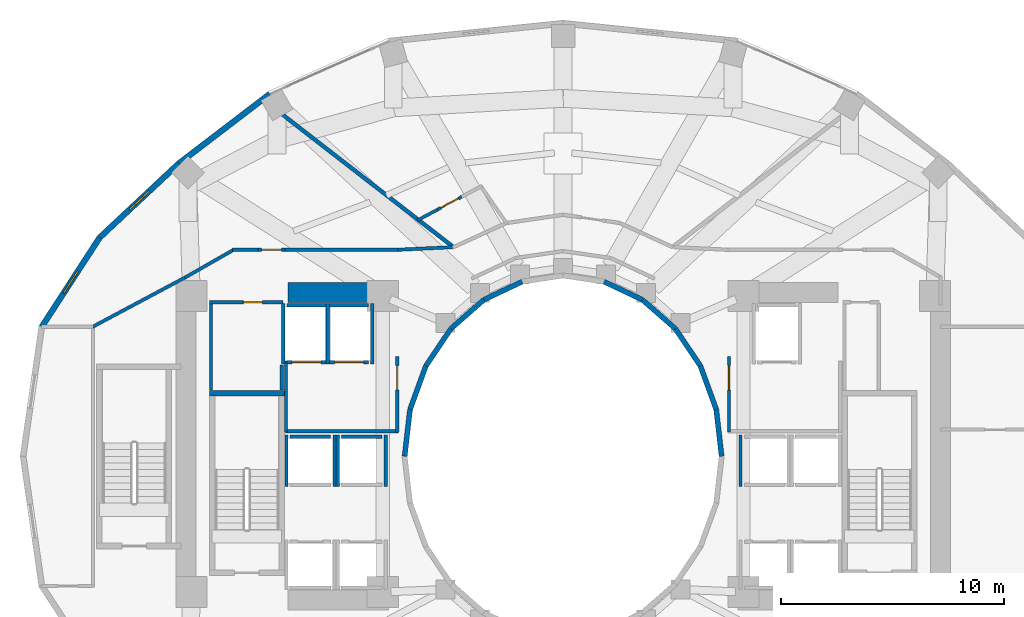
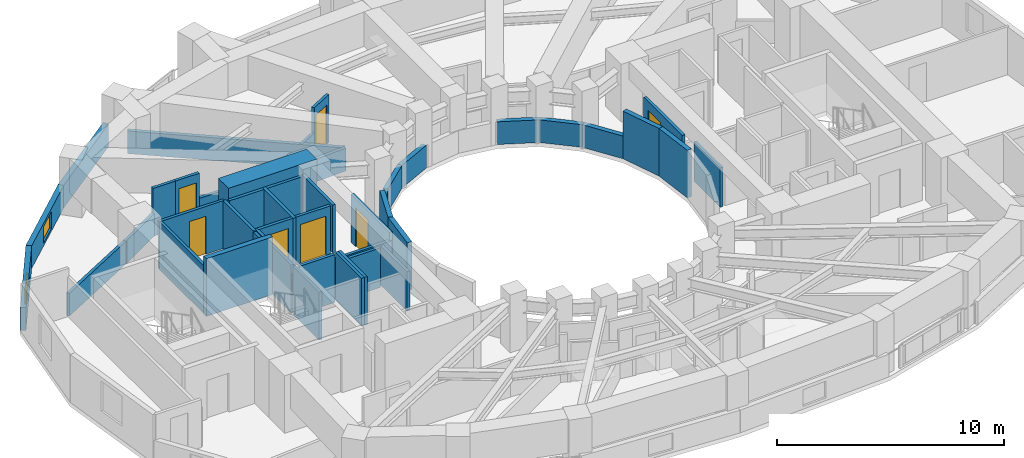
# One storey, part 10 of 16: 45 walls, 7 doors, 2 windows, 9 openings.
"""IFC4 building model written with IfcOpenShell, lengths in metres."""

from ifc_helpers import new_model, si_unit, direction, frame, frame_2d, origin, place, context, subcontext, project, spatial, rectangle, extrude, material, layer, layer_set, type_object, element, fill, save


model = new_model("IFC4")

# Units and contexts
model_context = context("Model", 3, precision=1e-05, world=origin(), true_north=direction((0.0, 1.0)))
body_context = subcontext(model_context, "Body", "Model", "MODEL_VIEW")
ifc_project = project(units=[si_unit("LENGTHUNIT", "METRE"), si_unit("AREAUNIT", "SQUARE_METRE"), si_unit("VOLUMEUNIT", "CUBIC_METRE"), si_unit("PLANEANGLEUNIT", "RADIAN"), si_unit("MASSUNIT", "GRAM", prefix="KILO")], contexts=[model_context])

# Site, building, storey
site_placement = place(None, origin())
site = spatial("IfcSite", under=ifc_project, at=site_placement, CompositionType="ELEMENT")
building_placement = place(site_placement, origin())
building = spatial("IfcBuilding", under=site, at=building_placement, Name="Solvane Sanctuary Tower", CompositionType="ELEMENT")
storey_placement = place(building_placement, frame((0.0, 0.0, 82.5)))
storey = spatial("IfcBuildingStorey", under=building, at=storey_placement, Name="L24", CompositionType="ELEMENT", Elevation=82.5)

# Walls
ifc_material_1 = material(Name="Concrete C70/85", Category="concrete")
ifc_layer_1 = layer(ifc_material_1, 0.89990234375, Name="Concrete C70/85")
ifc_layer_set_1 = layer_set([ifc_layer_1], Name="Concrete C70/85")
wall_type_1 = type_object("IfcWallType", Name="Wall W-CORE-900", PredefinedType="SHEAR", material=ifc_layer_set_1)
wall_1_placement = place(storey_placement, frame((19.64990234375, 30.35009765625, 0.0), z_axis=(0.0, 0.0, 1.0), x_axis=(1.0, 0.0, 0.0)))
element("IfcWall", 1, at=wall_1_placement, inside=storey, type_object=wall_type_1, Name="L24 Core Shear Wall WC-N", PredefinedType="SHEAR", context=body_context, shape_type="SweptSolid", body=[
    extrude(rectangle(XDim=4.5, YDim=0.89990234375, at=frame_2d((2.25, 0.0))), origin(), (0.0, 0.0, 1.0), 3.10009765625),
])
ifc_material_2 = material(Name="Acoustic Gypsum Partition Board")
ifc_layer_2 = layer(ifc_material_2, 0.14990234375, Name="Acoustic Gypsum Partition Board")
ifc_layer_set_2 = layer_set([ifc_layer_2], Name="Acoustic Gypsum Partition Board")
wall_type_2 = type_object("IfcWallType", Name="Wall W-CORR-150", PredefinedType="PARTITIONING", material=ifc_layer_set_2)
wall_2_placement = place(storey_placement, frame((19.52001953125, 24.1201171875, 0.0), z_axis=(0.0, 0.0, 1.0), x_axis=(1.0, 0.0, 0.0)))
element("IfcWall", 2, at=wall_2_placement, inside=storey, type_object=wall_type_2, Name="L24 West Firefighting Lobby South Wall", PredefinedType="PARTITIONING", context=body_context, shape_type="SweptSolid", body=[
    extrude(rectangle(XDim=5.080078125, YDim=0.14990234375, at=frame_2d((2.5400390625, 0.0))), origin(), (0.0, 0.0, 1.0), 2.1201171875),
])
wall_3_placement = place(storey_placement, frame((19.550048828125, 24.080078125, 0.0), z_axis=(0.0, 0.0, 1.0), x_axis=(0.0, 1.0, 0.0)))
element("IfcWall", 3, at=wall_3_placement, inside=storey, type_object=wall_type_2, Name="L24 West Firefighting Lobby West Wall", PredefinedType="PARTITIONING", context=body_context, shape_type="SweptSolid", body=[
    extrude(rectangle(XDim=3.199951171875, YDim=0.14990234375, at=frame_2d((1.60009765625, 0.0))), origin(), (0.0, 0.0, 1.0), 2.574951171875),
])

# Wall, opening, door
wall_4_placement = place(storey_placement, frame((24.550048828125, 24.080078125, 0.0), z_axis=(0.0, 0.0, 1.0), x_axis=(0.0, 1.0, 0.0)))
wall_4 = element("IfcWall", 4, at=wall_4_placement, inside=storey, type_object=wall_type_2, Name="L24 West Firefighting Lobby East Wall", PredefinedType="PARTITIONING", context=body_context, shape_type="SweptSolid", body=[
    extrude(rectangle(XDim=3.39990234375, YDim=0.14990234375, at=frame_2d((1.699951171875, 0.0))), origin(), (0.0, 0.0, 1.0), 2.574951171875),
])
opening_1_placement = place(wall_4_placement, frame((1.893798828125, 0.0, 0.0)))
opening_1 = element("IfcOpeningElement", 5, at=opening_1_placement, cuts=wall_4, Name="Opening D-L24-04", PredefinedType="OPENING", context=body_context, shape_type="SweptSolid", body=[
    extrude(rectangle(XDim=1.10009765625, YDim=2.10009765625, at=frame_2d((0.550048828125, 1.050048828125))), frame((0.0, 0.0849609375, 0.0), z_axis=(0.0, -1.0, 0.0), x_axis=(1.0, 0.0, 0.0)), (0.0, 0.0, 1.0), 0.169921875),
])
ifc_material_3 = material(Name="Architectural Stainless Steel 316", Category="steel")
door_type_1 = type_object("IfcDoorType", Name="Door D-FFL", OperationType="NOTDEFINED", PredefinedType="DOOR", material=ifc_material_3)
door_1_placement = place(opening_1_placement, origin())
door_1 = element("IfcDoor", 6, at=door_1_placement, inside=storey, type_object=door_type_1, Name="L24 West Firefighting Lobby Fire Door", OperationType="SINGLE_SWING_LEFT", OverallHeight=2.10009765625, OverallWidth=1.10009765625, PredefinedType="DOOR", context=body_context, shape_type="SweptSolid", body=[
    extrude(rectangle(XDim=1.10009765625, YDim=2.10009765625, at=frame_2d((0.550048828125, 1.050048828125))), frame((0.0, 0.02490234375, 0.0), z_axis=(0.0, -1.0, 0.0), x_axis=(1.0, 0.0, 0.0)), (0.0, 0.0, 1.0), 0.050048828125),
])
fill(opening_1, door_1)

wall_5_placement = place(storey_placement, frame((39.449951171875, 24.080078125, 0.0), z_axis=(0.0, 0.0, 1.0), x_axis=(0.0, 1.0, 0.0)))
wall_5 = element("IfcWall", 7, at=wall_5_placement, inside=storey, type_object=wall_type_2, Name="L24 East Firefighting Lobby West Wall", PredefinedType="PARTITIONING", context=body_context, shape_type="SweptSolid", body=[
    extrude(rectangle(XDim=3.39990234375, YDim=0.14990234375, at=frame_2d((1.699951171875, 0.0))), origin(), (0.0, 0.0, 1.0), 2.574951171875),
])
opening_2_placement = place(wall_5_placement, frame((1.893798828125, 0.0, 0.0)))
opening_2 = element("IfcOpeningElement", 8, at=opening_2_placement, cuts=wall_5, Name="Opening D-L24-05", PredefinedType="OPENING", context=body_context, shape_type="SweptSolid", body=[
    extrude(rectangle(XDim=1.10009765625, YDim=2.10009765625, at=frame_2d((0.550048828125, 1.050048828125))), frame((0.0, 0.0849609375, 0.0), z_axis=(0.0, -1.0, 0.0), x_axis=(1.0, 0.0, 0.0)), (0.0, 0.0, 1.0), 0.169921875),
])
door_2_placement = place(opening_2_placement, origin())
door_2 = element("IfcDoor", 9, at=door_2_placement, inside=storey, type_object=door_type_1, Name="L24 East Firefighting Lobby Fire Door", OperationType="SINGLE_SWING_RIGHT", OverallHeight=2.10009765625, OverallWidth=1.10009765625, PredefinedType="DOOR", context=body_context, shape_type="SweptSolid", body=[
    extrude(rectangle(XDim=1.10009765625, YDim=2.10009765625, at=frame_2d((0.550048828125, 1.050048828125))), frame((0.0, 0.02490234375, 0.0), z_axis=(0.0, -1.0, 0.0), x_axis=(1.0, 0.0, 0.0)), (0.0, 0.0, 1.0), 0.050048828125),
])
fill(opening_2, door_2)

# Walls
wall_6_placement = place(storey_placement, frame((10.8447265625, 28.806396484375, 0.0), z_axis=(0.0, 0.0, 1.0), x_axis=(0.88227840565, 0.470727962759, 0.0)))
element("IfcWall", 10, at=wall_6_placement, inside=storey, type_object=wall_type_2, Name="L24 NW Corner Closer 1", PredefinedType="PARTITIONING", context=body_context, shape_type="SweptSolid", body=[
    extrude(rectangle(XDim=4.806396484375, YDim=0.14990234375, at=frame_2d((2.4033203125, 0.0))), origin(), (0.0, 0.0, 1.0), 1.219970703125),
])
wall_7_placement = place(storey_placement, frame((27.02001953125, 32.393798828125, 0.0), z_axis=(0.0, 0.0, 1.0), x_axis=(-0.998877427952, -0.047369651964, 0.0)))
element("IfcWall", 11, at=wall_7_placement, inside=storey, type_object=wall_type_2, Name="L24 NW Corner Throat Wall", PredefinedType="PARTITIONING", context=body_context, shape_type="SweptSolid", body=[
    extrude(rectangle(XDim=2.4326171875, YDim=0.14990234375, at=frame_2d((1.21630859375, 0.0))), origin(), (0.0, 0.0, 1.0), 1.219970703125),
])
wall_8_placement = place(storey_placement, frame((17.14990234375, 32.280029296875, 0.0), z_axis=(0.0, 0.0, 1.0), x_axis=(1.0, 0.0, 0.0)))
element("IfcWall", 12, at=wall_8_placement, inside=storey, type_object=wall_type_2, Name="L24 NW Corner Corridor Wall", PredefinedType="PARTITIONING", context=body_context, shape_type="SweptSolid", body=[
    extrude(rectangle(XDim=1.14013671875, YDim=0.14990234375, at=frame_2d((0.570068359375, 0.0))), origin(), (0.0, 0.0, 1.0), 2.574951171875),
])

# Wall, opening, door
wall_9_placement = place(storey_placement, frame((18.2900390625, 32.280029296875, 0.0), z_axis=(0.0, 0.0, 1.0), x_axis=(1.0, 0.0, 0.0)))
wall_9 = element("IfcWall", 13, at=wall_9_placement, inside=storey, type_object=wall_type_2, Name="L24 NW Corner Corridor Wall", PredefinedType="PARTITIONING", context=body_context, shape_type="SweptSolid", body=[
    extrude(rectangle(XDim=1.219970703125, YDim=0.14990234375, at=frame_2d((0.60986328125, 0.0))), origin(), (0.0, 0.0, 1.0), 2.574951171875),
])
opening_3_placement = place(wall_9_placement, frame((0.159912109375, 0.0, 0.0)))
opening_3 = element("IfcOpeningElement", 14, at=opening_3_placement, cuts=wall_9, Name="Opening D-L24-12", PredefinedType="OPENING", context=body_context, shape_type="SweptSolid", body=[
    extrude(rectangle(XDim=0.89990234375, YDim=2.10009765625, at=frame_2d((0.449951171875, 1.050048828125))), frame((0.0, 0.0849609375, 0.0), z_axis=(0.0, -1.0, 0.0), x_axis=(1.0, 0.0, 0.0)), (0.0, 0.0, 1.0), 0.169921875),
])
ifc_material_4 = material(Name="Engineered Tropical Hardwood", Category="wood")
door_type_2 = type_object("IfcDoorType", Name="Door D-WET-900", OperationType="NOTDEFINED", PredefinedType="DOOR", material=ifc_material_4)
door_3_placement = place(opening_3_placement, origin())
door_3 = element("IfcDoor", 15, at=door_3_placement, inside=storey, type_object=door_type_2, Name="L24 NW Corner Salon Door", OperationType="SINGLE_SWING_LEFT", OverallHeight=2.10009765625, OverallWidth=0.89990234375, PredefinedType="DOOR", context=body_context, shape_type="SweptSolid", body=[
    extrude(rectangle(XDim=0.89990234375, YDim=2.10009765625, at=frame_2d((0.449951171875, 1.050048828125))), frame((0.0, 0.02490234375, 0.0), z_axis=(0.0, -1.0, 0.0), x_axis=(1.0, 0.0, 0.0)), (0.0, 0.0, 1.0), 0.050048828125),
])
fill(opening_3, door_3)

# Walls
wall_10_placement = place(storey_placement, frame((19.510009765625, 32.280029296875, 0.0), z_axis=(0.0, 0.0, 1.0), x_axis=(1.0, 0.0, 0.0)))
element("IfcWall", 16, at=wall_10_placement, inside=storey, type_object=wall_type_2, Name="L24 NW Corner Corridor Wall", PredefinedType="PARTITIONING", context=body_context, shape_type="SweptSolid", body=[
    extrude(rectangle(XDim=5.159912109375, YDim=0.14990234375, at=frame_2d((2.580078125, 0.0))), origin(), (0.0, 0.0, 1.0), 1.219970703125),
])
wall_11_placement = place(storey_placement, frame((17.243408203125, 32.3046875, 0.0), z_axis=(0.0, 0.0, 1.0), x_axis=(-0.867991349648, -0.496579315857, 0.0)))
element("IfcWall", 17, at=wall_11_placement, inside=storey, type_object=wall_type_2, Name="L24 NW Corner Wing Wall", PredefinedType="PARTITIONING", context=body_context, shape_type="SweptSolid", body=[
    extrude(rectangle(XDim=2.56689453125, YDim=0.14990234375, at=frame_2d((1.283447265625, 0.0))), origin(), (0.0, 0.0, 1.0), 1.219970703125),
])
ifc_material_5 = material(Name="Precast concrete C40/50", Category="concrete")
ifc_layer_3 = layer(ifc_material_5, 0.260009765625, Name="Precast concrete C40/50")
ifc_layer_set_3 = layer_set([ifc_layer_3], Name="Precast concrete C40/50")
wall_type_3 = type_object("IfcWallType", Name="Wall W-EXT-250", PredefinedType="STANDARD", material=ifc_layer_set_3)
wall_12_placement = place(storey_placement, frame((18.82666015625, 39.278076171875, 0.0), z_axis=(0.0, 0.0, 1.0), x_axis=(-0.794809810864, -0.606858603427, 0.0)))
element("IfcWall", 18, at=wall_12_placement, inside=storey, type_object=wall_type_3, Name="L24 Ceramic-Printed Facade Wall 08", PredefinedType="STANDARD", context=body_context, shape_type="SweptSolid", body=[
    extrude(rectangle(XDim=5.149169921875, YDim=0.260009765625, at=frame_2d((2.57470703125, 0.0))), origin(), (0.0, 0.0, 1.0), 1.219970703125),
])

# Wall, opening, window
wall_13_placement = place(storey_placement, frame((14.734130859375, 36.1533203125, 0.0), z_axis=(0.0, 0.0, 1.0), x_axis=(-0.730162452258, -0.68327358599, 0.0)))
wall_13 = element("IfcWall", 19, at=wall_13_placement, inside=storey, type_object=wall_type_3, Name="L24 Ceramic-Printed Facade Wall 09", PredefinedType="STANDARD", context=body_context, shape_type="SweptSolid", body=[
    extrude(rectangle(XDim=4.868408203125, YDim=0.260009765625, at=frame_2d((2.43408203125, 0.0))), origin(), (0.0, 0.0, 1.0), 1.219970703125),
])
opening_4_placement = place(wall_13_placement, frame((1.834228515625, 0.0, 0.14990234375)))
opening_4 = element("IfcOpeningElement", 20, at=opening_4_placement, cuts=wall_13, Name="Opening WN-OPER-1200", PredefinedType="OPENING", context=body_context, shape_type="SweptSolid", body=[
    extrude(rectangle(XDim=1.199951171875, YDim=0.89990234375, at=frame_2d((0.60009765625, 0.449951171875))), frame((0.0, 0.139892578125, 0.0), z_axis=(0.0, -1.0, 0.0), x_axis=(1.0, 0.0, 0.0)), (0.0, 0.0, 1.0), 0.280029296875),
])
ifc_material_6 = material(Name="Dark Ceramic-Fritted Low-E Glass", Category="glass")
window_type = type_object("IfcWindowType", Name="Window WN-OPER-1200", PartitioningType="SINGLE_PANEL", PredefinedType="WINDOW", material=ifc_material_6)
window_1_placement = place(opening_4_placement, origin())
window_1 = element("IfcWindow", 21, at=window_1_placement, inside=storey, type_object=window_type, Name="L24 Operable Facade Window 09", OverallHeight=0.89990234375, OverallWidth=1.199951171875, PartitioningType="SINGLE_PANEL", PredefinedType="WINDOW", context=body_context, shape_type="SweptSolid", body=[
    extrude(rectangle(XDim=1.199951171875, YDim=0.89990234375, at=frame_2d((0.60009765625, 0.449951171875))), frame((0.0, 0.030029296875, 0.0), z_axis=(0.0, -1.0, 0.0), x_axis=(1.0, 0.0, 0.0)), (0.0, 0.0, 1.0), 0.06005859375),
])
fill(opening_4, window_1)

wall_14_placement = place(storey_placement, frame((11.179443359375, 32.826904296875, 0.0), z_axis=(0.0, 0.0, 1.0), x_axis=(-0.544388392991, -0.838833283541, 0.0)))
wall_14 = element("IfcWall", 22, at=wall_14_placement, inside=storey, type_object=wall_type_3, Name="L24 Ceramic-Printed Facade Wall 10", PredefinedType="STANDARD", context=body_context, shape_type="SweptSolid", body=[
    extrude(rectangle(XDim=4.7783203125, YDim=0.260009765625, at=frame_2d((2.38916015625, 0.0))), origin(), (0.0, 0.0, 1.0), 1.219970703125),
])
opening_5_placement = place(wall_14_placement, frame((1.7890625, 0.0, 0.14990234375)))
opening_5 = element("IfcOpeningElement", 23, at=opening_5_placement, cuts=wall_14, Name="Opening WN-OPER-1200", PredefinedType="OPENING", context=body_context, shape_type="SweptSolid", body=[
    extrude(rectangle(XDim=1.199951171875, YDim=0.89990234375, at=frame_2d((0.60009765625, 0.449951171875))), frame((0.0, 0.139892578125, 0.0), z_axis=(0.0, -1.0, 0.0), x_axis=(1.0, 0.0, 0.0)), (0.0, 0.0, 1.0), 0.280029296875),
])
window_2_placement = place(opening_5_placement, origin())
window_2 = element("IfcWindow", 24, at=window_2_placement, inside=storey, type_object=window_type, Name="L24 Operable Facade Window 10", OverallHeight=0.89990234375, OverallWidth=1.199951171875, PartitioningType="SINGLE_PANEL", PredefinedType="WINDOW", context=body_context, shape_type="SweptSolid", body=[
    extrude(rectangle(XDim=1.199951171875, YDim=0.89990234375, at=frame_2d((0.60009765625, 0.449951171875))), frame((0.0, 0.030029296875, 0.0), z_axis=(0.0, -1.0, 0.0), x_axis=(1.0, 0.0, 0.0)), (0.0, 0.0, 1.0), 0.06005859375),
])
fill(opening_5, window_2)

# Walls
ifc_layer_4 = layer(ifc_material_5, 0.22998046875, Name="Precast concrete C40/50")
ifc_layer_set_4 = layer_set([ifc_layer_4], Name="Precast concrete C40/50")
wall_type_4 = type_object("IfcWallType", Name="Wall W-EXT-SP220", PredefinedType="STANDARD", material=ifc_layer_set_4)
wall_15_placement = place(storey_placement, frame((39.1201171875, 23.0, 0.0), z_axis=(0.0, 0.0, 1.0), x_axis=(-0.114711713601, 0.993398823617, 0.0)))
element("IfcWall", 25, at=wall_15_placement, inside=storey, type_object=wall_type_4, Name="L24 Central Light-Well Wall 00", PredefinedType="STANDARD", context=body_context, shape_type="SweptSolid", body=[
    extrude(rectangle(XDim=2.115478515625, YDim=0.22998046875, at=frame_2d((1.0576171875, 0.0))), origin(), (0.0, 0.0, 1.0), 2.56005859375),
])
wall_16_placement = place(storey_placement, frame((38.87744140625, 25.1015625, 0.0), z_axis=(0.0, 0.0, 1.0), x_axis=(-0.341423187295, 0.93990968033, 0.0)))
element("IfcWall", 26, at=wall_16_placement, inside=storey, type_object=wall_type_4, Name="L24 Central Light-Well Wall 01", PredefinedType="STANDARD", context=body_context, shape_type="SweptSolid", body=[
    extrude(rectangle(XDim=2.083740234375, YDim=0.22998046875, at=frame_2d((1.0419921875, 0.0))), origin(), (0.0, 0.0, 1.0), 2.56005859375),
])
wall_17_placement = place(storey_placement, frame((38.166015625, 27.06005859375, 0.0), z_axis=(0.0, 0.0, 1.0), x_axis=(-0.558197800898, 0.829707909492, 0.0)))
element("IfcWall", 27, at=wall_17_placement, inside=storey, type_object=wall_type_4, Name="L24 Central Light-Well Wall 02", PredefinedType="STANDARD", context=body_context, shape_type="SweptSolid", body=[
    extrude(rectangle(XDim=2.02685546875, YDim=0.22998046875, at=frame_2d((1.013427734375, 0.0))), origin(), (0.0, 0.0, 1.0), 1.219970703125),
])
wall_18_placement = place(storey_placement, frame((37.03466796875, 28.74169921875, 0.0), z_axis=(0.0, 0.0, 1.0), x_axis=(-0.752576694707, 0.658504607869, 0.0)))
element("IfcWall", 28, at=wall_18_placement, inside=storey, type_object=wall_type_4, Name="L24 Central Light-Well Wall 03", PredefinedType="STANDARD", context=body_context, shape_type="SweptSolid", body=[
    extrude(rectangle(XDim=1.95947265625, YDim=0.22998046875, at=frame_2d((0.979736328125, 0.0))), origin(), (0.0, 0.0, 1.0), 1.219970703125),
])
for number, where, z_axis, x_axis, name in (
    (29, (35.56005859375, 30.031982421875, 0.0), (0.0, 0.0, 1.0), (-0.904179699603, 0.427152280606, 0.0), "L24 Central Light-Well Wall 04"),
    (30, (30.1572265625, 30.84326171875, 0.0), (0.0, 0.0, 1.0), (-0.904179699603, -0.427152280606, 0.0), "L24 Central Light-Well Wall 07"),
):
    element("IfcWall", number, at=place(storey_placement, frame(where, z_axis=z_axis, x_axis=x_axis)), inside=storey, type_object=wall_type_4, Name=name, PredefinedType="STANDARD", context=body_context, shape_type="SweptSolid", body=[
        extrude(rectangle(XDim=1.899169921875, YDim=0.22998046875, at=frame_2d((0.94970703125, 0.0))), origin(), (0.0, 0.0, 1.0), 1.219970703125),
    ])
wall_19_placement = place(storey_placement, frame((28.43994140625, 30.031982421875, 0.0), z_axis=(0.0, 0.0, 1.0), x_axis=(-0.752576694707, -0.658504607869, 0.0)))
element("IfcWall", 31, at=wall_19_placement, inside=storey, type_object=wall_type_4, Name="L24 Central Light-Well Wall 08", PredefinedType="STANDARD", context=body_context, shape_type="SweptSolid", body=[
    extrude(rectangle(XDim=1.95947265625, YDim=0.22998046875, at=frame_2d((0.979736328125, 0.0))), origin(), (0.0, 0.0, 1.0), 1.219970703125),
])
wall_20_placement = place(storey_placement, frame((26.96533203125, 28.74169921875, 0.0), z_axis=(0.0, 0.0, 1.0), x_axis=(-0.558197800898, -0.829707909492, 0.0)))
element("IfcWall", 32, at=wall_20_placement, inside=storey, type_object=wall_type_4, Name="L24 Central Light-Well Wall 09", PredefinedType="STANDARD", context=body_context, shape_type="SweptSolid", body=[
    extrude(rectangle(XDim=2.02685546875, YDim=0.22998046875, at=frame_2d((1.013427734375, 0.0))), origin(), (0.0, 0.0, 1.0), 1.219970703125),
])
wall_21_placement = place(storey_placement, frame((25.833984375, 27.06005859375, 0.0), z_axis=(0.0, 0.0, 1.0), x_axis=(-0.341423187295, -0.93990968033, 0.0)))
element("IfcWall", 33, at=wall_21_placement, inside=storey, type_object=wall_type_4, Name="L24 Central Light-Well Wall 10", PredefinedType="STANDARD", context=body_context, shape_type="SweptSolid", body=[
    extrude(rectangle(XDim=2.083740234375, YDim=0.22998046875, at=frame_2d((1.0419921875, 0.0))), origin(), (0.0, 0.0, 1.0), 2.56005859375),
])
wall_22_placement = place(storey_placement, frame((25.12255859375, 25.1015625, 0.0), z_axis=(0.0, 0.0, 1.0), x_axis=(-0.114711713601, -0.993398823617, 0.0)))
element("IfcWall", 34, at=wall_22_placement, inside=storey, type_object=wall_type_4, Name="L24 Central Light-Well Wall 11", PredefinedType="STANDARD", context=body_context, shape_type="SweptSolid", body=[
    extrude(rectangle(XDim=2.115478515625, YDim=0.22998046875, at=frame_2d((1.0576171875, 0.0))), origin(), (0.0, 0.0, 1.0), 2.56005859375),
])
ifc_material_7 = material(Name="Concrete C50/60", Category="concrete")
ifc_layer_5 = layer(ifc_material_7, 0.14990234375, Name="Concrete C50/60")
ifc_layer_set_5 = layer_set([ifc_layer_5], Name="Concrete C50/60")
wall_type_5 = type_object("IfcWallType", Name="Wall W-SHAFT-150", PredefinedType="SOLIDWALL", material=ifc_layer_set_5)
wall_23_placement = place(storey_placement, frame((19.739990234375, 23.8798828125, 0.0), z_axis=(0.0, 0.0, 1.0), x_axis=(1.0, 0.0, 0.0)))
element("IfcWall", 35, at=wall_23_placement, inside=storey, type_object=wall_type_5, Name="L24 PM-1 Lift Shaft Wall B", PredefinedType="SOLIDWALL", context=body_context, shape_type="SweptSolid", body=[
    extrude(rectangle(XDim=1.820068359375, YDim=0.14990234375, at=frame_2d((0.91015625, 0.0))), origin(), (0.0, 0.0, 1.0), 2.574951171875),
])
for number, where, z_axis, x_axis, name in (
    (36, (19.570068359375, 21.639892578125, 0.0), (0.0, 0.0, 1.0), (0.0, 1.0, 0.0), "L24 PM-1 Lift Shaft Wall S1"),
    (37, (21.72998046875, 21.639892578125, 0.0), (0.0, 0.0, 1.0), (0.0, 1.0, 0.0), "L24 PM-1 Lift Shaft Wall S2"),
):
    element("IfcWall", number, at=place(storey_placement, frame(where, z_axis=z_axis, x_axis=x_axis)), inside=storey, type_object=wall_type_5, Name=name, PredefinedType="SOLIDWALL", context=body_context, shape_type="SweptSolid", body=[
        extrude(rectangle(XDim=2.320068359375, YDim=0.14990234375, at=frame_2d((1.16015625, 0.0))), origin(), (0.0, 0.0, 1.0), 2.574951171875),
    ])
wall_24_placement = place(storey_placement, frame((22.0400390625, 23.8798828125, 0.0), z_axis=(0.0, 0.0, 1.0), x_axis=(1.0, 0.0, 0.0)))
element("IfcWall", 38, at=wall_24_placement, inside=storey, type_object=wall_type_5, Name="L24 PH-1 Lift Shaft Wall B", PredefinedType="SOLIDWALL", context=body_context, shape_type="SweptSolid", body=[
    extrude(rectangle(XDim=1.820068359375, YDim=0.14990234375, at=frame_2d((0.91015625, 0.0))), origin(), (0.0, 0.0, 1.0), 2.1201171875),
])
wall_25_placement = place(storey_placement, frame((21.8701171875, 21.639892578125, 0.0), z_axis=(0.0, 0.0, 1.0), x_axis=(0.0, 1.0, 0.0)))
element("IfcWall", 39, at=wall_25_placement, inside=storey, type_object=wall_type_5, Name="L24 PH-1 Lift Shaft Wall S1", PredefinedType="SOLIDWALL", context=body_context, shape_type="SweptSolid", body=[
    extrude(rectangle(XDim=2.320068359375, YDim=0.14990234375, at=frame_2d((1.16015625, 0.0))), origin(), (0.0, 0.0, 1.0), 2.574951171875),
])
for number, where, z_axis, x_axis, name in (
    (40, (24.030029296875, 21.639892578125, 0.0), (0.0, 0.0, 1.0), (0.0, 1.0, 0.0), "L24 PH-1 Lift Shaft Wall S2"),
    (41, (39.969970703125, 21.639892578125, 0.0), (0.0, 0.0, 1.0), (0.0, 1.0, 0.0), "L24 PH-2 Lift Shaft Wall S1"),
):
    element("IfcWall", number, at=place(storey_placement, frame(where, z_axis=z_axis, x_axis=x_axis)), inside=storey, type_object=wall_type_5, Name=name, PredefinedType="SOLIDWALL", context=body_context, shape_type="SweptSolid", body=[
        extrude(rectangle(XDim=2.320068359375, YDim=0.14990234375, at=frame_2d((1.16015625, 0.0))), origin(), (0.0, 0.0, 1.0), 2.1201171875),
    ])

# Wall, opening, door
wall_26_placement = place(storey_placement, frame((19.590087890625, 27.219970703125, 0.0), z_axis=(0.0, 0.0, 1.0), x_axis=(1.0, 0.0, 0.0)))
wall_26 = element("IfcWall", 42, at=wall_26_placement, inside=storey, type_object=wall_type_5, Name="L24 FFL-1 Lift Shaft Wall F", PredefinedType="SOLIDWALL", context=body_context, shape_type="SweptSolid", body=[
    extrude(rectangle(XDim=1.760009765625, YDim=0.14990234375, at=frame_2d((0.8798828125, 0.0))), origin(), (0.0, 0.0, 1.0), 2.574951171875),
])
opening_6_placement = place(wall_26_placement, frame((0.22998046875, 0.0, 0.0)))
opening_6 = element("IfcOpeningElement", 43, at=opening_6_placement, cuts=wall_26, Name="Opening LD-L24-05", PredefinedType="OPENING", context=body_context, shape_type="SweptSolid", body=[
    extrude(rectangle(XDim=1.300048828125, YDim=2.10009765625, at=frame_2d((0.64990234375, 1.050048828125))), frame((0.0, 0.0849609375, 0.0), z_axis=(0.0, -1.0, 0.0), x_axis=(1.0, 0.0, 0.0)), (0.0, 0.0, 1.0), 0.169921875),
])
door_type_3 = type_object("IfcDoorType", Name="Door LD-FFL-1300", OperationType="NOTDEFINED", PredefinedType="DOOR", material=ifc_material_3)
door_4_placement = place(opening_6_placement, origin())
door_4 = element("IfcDoor", 44, at=door_4_placement, inside=storey, type_object=door_type_3, Name="L24 FFL-1 Lift Landing Door", OperationType="DOUBLE_DOOR_SLIDING", OverallHeight=2.10009765625, OverallWidth=1.300048828125, PredefinedType="DOOR", context=body_context, shape_type="SweptSolid", body=[
    extrude(rectangle(XDim=1.300048828125, YDim=2.10009765625, at=frame_2d((0.64990234375, 1.050048828125))), frame((0.0, 0.02490234375, 0.0), z_axis=(0.0, -1.0, 0.0), x_axis=(1.0, 0.0, 0.0)), (0.0, 0.0, 1.0), 0.050048828125),
])
fill(opening_6, door_4)

# Walls
wall_27_placement = place(storey_placement, frame((19.590087890625, 29.780029296875, 0.0), z_axis=(0.0, 0.0, 1.0), x_axis=(1.0, 0.0, 0.0)))
element("IfcWall", 45, at=wall_27_placement, inside=storey, type_object=wall_type_5, Name="L24 FFL-1 Lift Shaft Wall B", PredefinedType="SOLIDWALL", context=body_context, shape_type="SweptSolid", body=[
    extrude(rectangle(XDim=1.760009765625, YDim=0.14990234375, at=frame_2d((0.8798828125, 0.0))), origin(), (0.0, 0.0, 1.0), 2.574951171875),
])
for number, where, z_axis, x_axis, name in (
    (46, (19.419921875, 27.139892578125, 0.0), (0.0, 0.0, 1.0), (0.0, 1.0, 0.0), "L24 FFL-1 Lift Shaft Wall S1"),
    (47, (21.425048828125, 27.139892578125, 0.0), (0.0, 0.0, 1.0), (0.0, 1.0, 0.0), "L24 FFL-1 Lift Shaft Wall S2"),
):
    element("IfcWall", number, at=place(storey_placement, frame(where, z_axis=z_axis, x_axis=x_axis)), inside=storey, type_object=wall_type_5, Name=name, PredefinedType="SOLIDWALL", context=body_context, shape_type="SweptSolid", body=[
        extrude(rectangle(XDim=2.72021484375, YDim=0.14990234375, at=frame_2d((1.360107421875, 0.0))), origin(), (0.0, 0.0, 1.0), 2.574951171875),
    ])

# Wall, opening, door
wall_28_placement = place(storey_placement, frame((21.5, 27.219970703125, 0.0), z_axis=(0.0, 0.0, 1.0), x_axis=(1.0, 0.0, 0.0)))
wall_28 = element("IfcWall", 48, at=wall_28_placement, inside=storey, type_object=wall_type_5, Name="L24 SVL-1 Lift Shaft Wall F", PredefinedType="SOLIDWALL", context=body_context, shape_type="SweptSolid", body=[
    extrude(rectangle(XDim=1.760009765625, YDim=0.14990234375, at=frame_2d((0.8798828125, 0.0))), origin(), (0.0, 0.0, 1.0), 2.574951171875),
])
opening_7_placement = place(wall_28_placement, frame((0.22998046875, 0.0, 0.0)))
opening_7 = element("IfcOpeningElement", 49, at=opening_7_placement, cuts=wall_28, Name="Opening LD-L24-06", PredefinedType="OPENING", context=body_context, shape_type="SweptSolid", body=[
    extrude(rectangle(XDim=1.300048828125, YDim=2.10009765625, at=frame_2d((0.64990234375, 1.050048828125))), frame((0.0, 0.0849609375, 0.0), z_axis=(0.0, -1.0, 0.0), x_axis=(1.0, 0.0, 0.0)), (0.0, 0.0, 1.0), 0.169921875),
])
door_5_placement = place(opening_7_placement, origin())
door_5 = element("IfcDoor", 50, at=door_5_placement, inside=storey, type_object=door_type_3, Name="L24 SVL-1 Lift Landing Door", OperationType="DOUBLE_DOOR_SLIDING", OverallHeight=2.10009765625, OverallWidth=1.300048828125, PredefinedType="DOOR", context=body_context, shape_type="SweptSolid", body=[
    extrude(rectangle(XDim=1.300048828125, YDim=2.10009765625, at=frame_2d((0.64990234375, 1.050048828125))), frame((0.0, 0.02490234375, 0.0), z_axis=(0.0, -1.0, 0.0), x_axis=(1.0, 0.0, 0.0)), (0.0, 0.0, 1.0), 0.050048828125),
])
fill(opening_7, door_5)

# Walls
wall_29_placement = place(storey_placement, frame((21.5, 29.780029296875, 0.0), z_axis=(0.0, 0.0, 1.0), x_axis=(1.0, 0.0, 0.0)))
element("IfcWall", 51, at=wall_29_placement, inside=storey, type_object=wall_type_5, Name="L24 SVL-1 Lift Shaft Wall B", PredefinedType="SOLIDWALL", context=body_context, shape_type="SweptSolid", body=[
    extrude(rectangle(XDim=1.760009765625, YDim=0.14990234375, at=frame_2d((0.8798828125, 0.0))), origin(), (0.0, 0.0, 1.0), 2.574951171875),
])
wall_30_placement = place(storey_placement, frame((23.429931640625, 27.139892578125, 0.0), z_axis=(0.0, 0.0, 1.0), x_axis=(0.0, 1.0, 0.0)))
element("IfcWall", 52, at=wall_30_placement, inside=storey, type_object=wall_type_5, Name="L24 SVL-1 Lift Shaft Wall S2", PredefinedType="SOLIDWALL", context=body_context, shape_type="SweptSolid", body=[
    extrude(rectangle(XDim=2.72021484375, YDim=0.14990234375, at=frame_2d((1.360107421875, 0.0))), origin(), (0.0, 0.0, 1.0), 2.574951171875),
])
ifc_layer_6 = layer(ifc_material_7, 0.25, Name="Concrete C50/60")
ifc_layer_set_6 = layer_set([ifc_layer_6], Name="Concrete C50/60")
wall_type_6 = type_object("IfcWallType", Name="Wall W-SHAFT-250", PredefinedType="SOLIDWALL", material=ifc_layer_set_6)
wall_31_placement = place(storey_placement, frame((16.10498046875, 25.830078125, 0.0), z_axis=(0.0, 0.0, 1.0), x_axis=(1.0, 0.0, 0.0)))
element("IfcWall", 53, at=wall_31_placement, inside=storey, type_object=wall_type_6, Name="L24 ST-1 Load-Bearing Shaft Wall N", PredefinedType="SOLIDWALL", context=body_context, shape_type="SweptSolid", body=[
    extrude(rectangle(XDim=3.3701171875, YDim=0.25, at=frame_2d((1.68505859375, 0.0))), origin(), (0.0, 0.0, 1.0), 3.10009765625),
])
ifc_layer_7 = layer(ifc_material_2, 0.179931640625, Name="Acoustic Gypsum Partition Board")
ifc_layer_set_7 = layer_set([ifc_layer_7], Name="Acoustic Gypsum Partition Board")
wall_type_7 = type_object("IfcWallType", Name="Wall W-UNIT-180", PredefinedType="PARTITIONING", material=ifc_layer_set_7)
wall_32_placement = place(storey_placement, frame((27.031494140625, 32.43017578125, 0.0), z_axis=(0.0, 0.0, 1.0), x_axis=(-0.790421780952, 0.612562983045, 0.0)))
element("IfcWall", 54, at=wall_32_placement, inside=storey, type_object=wall_type_7, Name="L24 Radial Compartment Wall 120", PredefinedType="PARTITIONING", context=body_context, shape_type="SweptSolid", body=[
    extrude(rectangle(XDim=9.662109375, YDim=0.179931640625, at=frame_2d((4.8310546875, 0.0))), origin(), (0.0, 0.0, 1.0), 1.219970703125),
])

# Wall, opening, door
ifc_layer_8 = layer(ifc_material_2, 0.139892578125, Name="Acoustic Gypsum Partition Board")
ifc_layer_set_8 = layer_set([ifc_layer_8], Name="Acoustic Gypsum Partition Board")
wall_type_8 = type_object("IfcWallType", Name="Wall W-WET-140", PredefinedType="PLUMBINGWALL", material=ifc_layer_set_8)
wall_33_placement = place(storey_placement, frame((16.1201171875, 29.919921875, 0.0), z_axis=(0.0, 0.0, 1.0), x_axis=(1.0, 0.0, 0.0)))
wall_33 = element("IfcWall", 55, at=wall_33_placement, inside=storey, type_object=wall_type_8, Name="L24 Core Service Front Wall KW0", PredefinedType="PLUMBINGWALL", context=body_context, shape_type="SweptSolid", body=[
    extrude(rectangle(XDim=3.2998046875, YDim=0.139892578125, at=frame_2d((1.64990234375, 0.0))), origin(), (0.0, 0.0, 1.0), 2.574951171875),
])
opening_8_placement = place(wall_33_placement, frame((1.515869140625, 0.0, 0.0)))
opening_8 = element("IfcOpeningElement", 56, at=opening_8_placement, cuts=wall_33, Name="Opening D-L24-06", PredefinedType="OPENING", context=body_context, shape_type="SweptSolid", body=[
    extrude(rectangle(XDim=0.85009765625, YDim=2.050048828125, at=frame_2d((0.425048828125, 1.02490234375))), frame((0.0, 0.079833984375, 0.0), z_axis=(0.0, -1.0, 0.0), x_axis=(1.0, 0.0, 0.0)), (0.0, 0.0, 1.0), 0.159912109375),
])
door_type_4 = type_object("IfcDoorType", Name="Door D-RISER", OperationType="NOTDEFINED", PredefinedType="DOOR", material=ifc_material_3)
door_6_placement = place(opening_8_placement, origin())
door_6 = element("IfcDoor", 57, at=door_6_placement, inside=storey, type_object=door_type_4, Name="L24 Core Service Room Door KW0-1", OperationType="SINGLE_SWING_LEFT", OverallHeight=2.050048828125, OverallWidth=0.85009765625, PredefinedType="DOOR", context=body_context, shape_type="SweptSolid", body=[
    extrude(rectangle(XDim=0.85009765625, YDim=2.050048828125, at=frame_2d((0.425048828125, 1.02490234375))), frame((0.0, 0.02490234375, 0.0), z_axis=(0.0, -1.0, 0.0), x_axis=(1.0, 0.0, 0.0)), (0.0, 0.0, 1.0), 0.050048828125),
])
fill(opening_8, door_6)

# Walls
wall_34_placement = place(storey_placement, frame((16.179931640625, 25.97998046875, 0.0), z_axis=(0.0, 0.0, 1.0), x_axis=(0.0, 1.0, 0.0)))
element("IfcWall", 58, at=wall_34_placement, inside=storey, type_object=wall_type_8, Name="L24 Core Service Side Wall KW0-1", PredefinedType="PLUMBINGWALL", context=body_context, shape_type="SweptSolid", body=[
    extrude(rectangle(XDim=3.880126953125, YDim=0.139892578125, at=frame_2d((1.93994140625, 0.0))), origin(), (0.0, 0.0, 1.0), 2.574951171875),
])
wall_35_placement = place(storey_placement, frame((19.360107421875, 25.97998046875, 0.0), z_axis=(0.0, 0.0, 1.0), x_axis=(0.0, 1.0, 0.0)))
element("IfcWall", 59, at=wall_35_placement, inside=storey, type_object=wall_type_8, Name="L24 Core Service Side Wall KW0-2", PredefinedType="PLUMBINGWALL", context=body_context, shape_type="SweptSolid", body=[
    extrude(rectangle(XDim=1.1201171875, YDim=0.139892578125, at=frame_2d((0.56005859375, 0.0))), origin(), (0.0, 0.0, 1.0), 2.574951171875),
])

# Wall, opening, door
wall_36_placement = place(storey_placement, frame((27.4404296875, 34.659423828125, 0.0), z_axis=(0.0, 0.0, 1.0), x_axis=(-0.882391718511, -0.470515520576, 0.0)))
wall_36 = element("IfcWall", 60, at=wall_36_placement, inside=storey, type_object=wall_type_8, Name="L24 En-suite Bedroom Wall N1", PredefinedType="PLUMBINGWALL", context=body_context, shape_type="SweptSolid", body=[
    extrude(rectangle(XDim=1.219970703125, YDim=0.139892578125, at=frame_2d((0.60986328125, 0.0))), origin(), (0.0, 0.0, 1.0), 2.574951171875),
])
opening_9_placement = place(wall_36_placement, frame((0.159912109375, 0.0, 0.0)))
opening_9 = element("IfcOpeningElement", 61, at=opening_9_placement, cuts=wall_36, Name="Opening D-L24-16", PredefinedType="OPENING", context=body_context, shape_type="SweptSolid", body=[
    extrude(rectangle(XDim=0.89990234375, YDim=2.10009765625, at=frame_2d((0.449951171875, 1.050048828125))), frame((0.0, 0.079833984375, 0.0), z_axis=(0.0, -1.0, 0.0), x_axis=(1.0, 0.0, 0.0)), (0.0, 0.0, 1.0), 0.159912109375),
])
door_7_placement = place(opening_9_placement, origin())
door_7 = element("IfcDoor", 62, at=door_7_placement, inside=storey, type_object=door_type_2, Name="L24 En-suite Bathroom Door N1", OperationType="SINGLE_SWING_LEFT", OverallHeight=2.10009765625, OverallWidth=0.89990234375, PredefinedType="DOOR", context=body_context, shape_type="SweptSolid", body=[
    extrude(rectangle(XDim=0.89990234375, YDim=2.10009765625, at=frame_2d((0.449951171875, 1.050048828125))), frame((0.0, 0.02490234375, 0.0), z_axis=(0.0, -1.0, 0.0), x_axis=(1.0, 0.0, 0.0)), (0.0, 0.0, 1.0), 0.050048828125),
])
fill(opening_9, door_7)

# Wall
wall_37_placement = place(storey_placement, frame((26.364013671875, 34.08544921875, 0.0), z_axis=(0.0, 0.0, 1.0), x_axis=(-0.882281156111, -0.470722807575, 0.0)))
element("IfcWall", 63, at=wall_37_placement, inside=storey, type_object=wall_type_8, Name="L24 En-suite Bedroom Wall N1", PredefinedType="PLUMBINGWALL", context=body_context, shape_type="SweptSolid", body=[
    extrude(rectangle(XDim=1.03564453125, YDim=0.139892578125, at=frame_2d((0.517822265625, 0.0))), origin(), (0.0, 0.0, 1.0), 1.219970703125),
])

save(model, "model.ifc")
